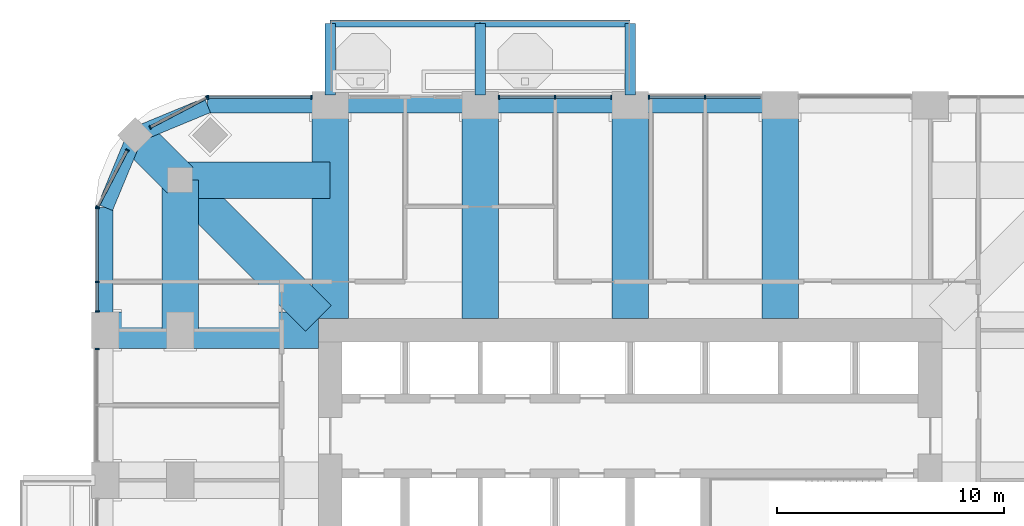
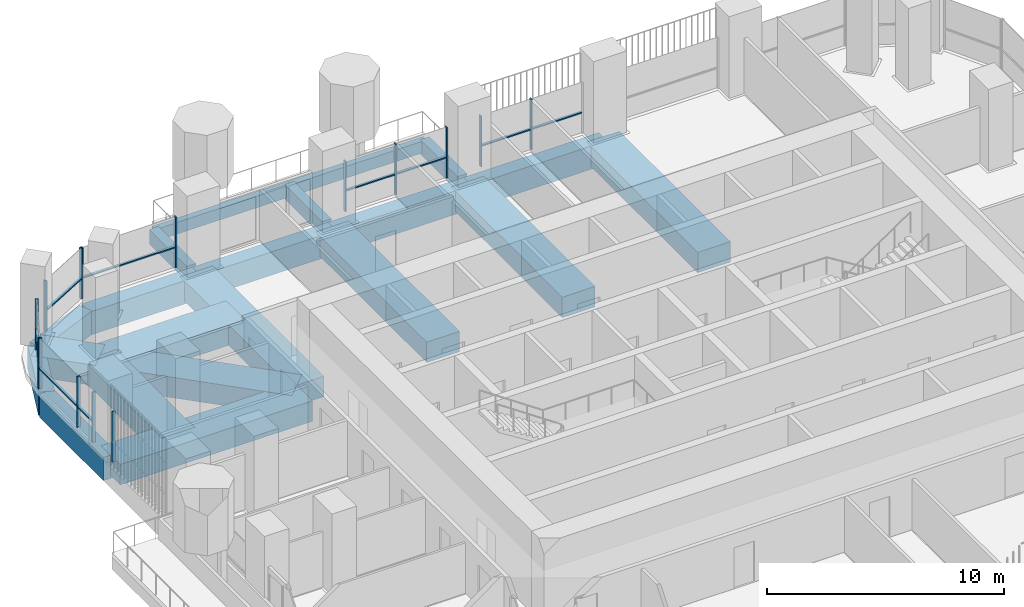
# One storey, part 6 of 20: 24 members, 21 beams, 7 elements without a shape of their own.
"""IFC4 building model written with IfcOpenShell, lengths in metres."""

import ifcopenshell
import ifcopenshell.guid

model = None  # the IFC model being written
_history = None  # IfcOwnerHistory: only IFC2X3 demands one
_inside = {}  # id of a spatial element -> (the spatial element, [elements in it])
_under = {}  # id of a project, library or spatial element -> (it, [spatial elements below it])
_declared = {}  # id of a project -> (the project, [libraries it declares])
_typed = {}  # id of a type object -> (the type object, [elements of that type])
_made_of = {}  # id of a material, layer set ... -> (it, [elements and type objects made of it])


def new_model(schema):
    """Start an empty IFC model of exactly this schema.

    Asked for "IFC4X3", IfcOpenShell would pick the latest addendum, in which some entities
    have other attributes; the version numbers below select the first issue.
    IFC2X3 requires an IfcOwnerHistory on every rooted entity: one is made here for all.
    """
    global model, _history
    if schema == "IFC4X3":
        model = ifcopenshell.file(schema_version=(4, 3, 0, 0))
    else:
        model = ifcopenshell.file(schema=schema)
    _inside.clear()
    _under.clear()
    _declared.clear()
    _typed.clear()
    _made_of.clear()
    _history = None
    if model.schema == "IFC2X3":
        org = make("IfcOrganization", Name="unknown")
        user = make(
            "IfcPersonAndOrganization",
            ThePerson=make("IfcPerson", FamilyName="unknown"),
            TheOrganization=org,
        )
        app = make(
            "IfcApplication",
            ApplicationDeveloper=org,
            Version="unknown",
            ApplicationFullName="unknown",
            ApplicationIdentifier="unknown",
        )
        _history = make(
            "IfcOwnerHistory",
            OwningUser=user,
            OwningApplication=app,
            ChangeAction="ADDED",
            CreationDate=0,
        )
    return model


def make(cls, **values):
    """One entity of the class cls with the attributes given. An attribute that is None is left unset."""
    return model.create_entity(
        cls, **{name: value for name, value in values.items() if value is not None}
    )


def rooted(cls, **values):
    """An entity with a GlobalId (a new one), such as an element, a storey or a relation."""
    return make(cls, GlobalId=ifcopenshell.guid.new(), OwnerHistory=_history, **values)


def si_unit(unit_type, name, prefix=None):
    """IfcSIUnit, for example si_unit("LENGTHUNIT", "METRE", prefix="MILLI")."""
    return make("IfcSIUnit", UnitType=unit_type, Prefix=prefix, Name=name)


def assignment(units):
    """IfcUnitAssignment: the units of a project."""
    return None if units is None else make("IfcUnitAssignment", Units=units)


def point(xyz):
    """IfcCartesianPoint."""
    return None if xyz is None else make("IfcCartesianPoint", Coordinates=xyz)


def direction(xyz):
    """IfcDirection."""
    return None if xyz is None else make("IfcDirection", DirectionRatios=xyz)


def frame(location, z_axis=None, x_axis=None):
    """IfcAxis2Placement3D, a coordinate frame: its origin and axes. An axis left out is left unset."""
    return make(
        "IfcAxis2Placement3D",
        Location=point(location),
        Axis=direction(z_axis),
        RefDirection=direction(x_axis),
    )


def frame_2d(location, x_axis=None):
    """IfcAxis2Placement2D, a coordinate frame in the plane: its origin and x axis."""
    return make(
        "IfcAxis2Placement2D", Location=point(location), RefDirection=direction(x_axis)
    )


def origin():
    """The frame at (0, 0, 0) with its axes left unset."""
    return frame((0.0, 0.0, 0.0))


def origin_2d():
    """The frame at (0, 0) in the plane with its x axis left unset."""
    return frame_2d((0.0, 0.0))


def place(relative_to, where):
    """IfcLocalPlacement: puts the frame where relative to a parent placement (None: the world)."""
    return make(
        "IfcLocalPlacement", PlacementRelTo=relative_to, RelativePlacement=where
    )


def context(
    kind, dimensions, precision=None, world=None, true_north=None, identifier=None
):
    """IfcGeometricRepresentationContext, for example the 3D "Model" context."""
    return make(
        "IfcGeometricRepresentationContext",
        ContextIdentifier=identifier,
        ContextType=kind,
        CoordinateSpaceDimension=dimensions,
        Precision=precision,
        WorldCoordinateSystem=world,
        TrueNorth=true_north,
    )


def subcontext(parent, identifier, kind, view, scale=None):
    """IfcGeometricRepresentationSubContext, for example "Body" below "Model"."""
    return make(
        "IfcGeometricRepresentationSubContext",
        ContextIdentifier=identifier,
        ContextType=kind,
        ParentContext=parent,
        TargetScale=scale,
        TargetView=view,
    )


def project(units=None, contexts=None):
    """IfcProject with its units and contexts."""
    return rooted(
        "IfcProject",
        Name="project",
        RepresentationContexts=contexts,
        UnitsInContext=assignment(units),
    )


def spatial(cls, under=None, at=None, **own):
    """A site, building, storey or space (cls), placed at a placement, below another one or the project."""
    s = rooted(cls, ObjectPlacement=at, **own)
    if under is not None:
        _under.setdefault(under.id(), (under, []))[1].append(s)
    return s


def profile(cls, at=None, kind="AREA", **sizes):
    """A parametric profile (cls). Its sizes go by their IFC names, for example OverallWidth=200.0."""
    return make(cls, ProfileType=kind, Position=at, **sizes)


def rectangle(**sizes):
    """IfcRectangleProfileDef."""
    return profile("IfcRectangleProfileDef", **sizes)


def extrude(swept, where, along, depth):
    """IfcExtrudedAreaSolid: the profile swept, set in the frame where, extruded along a direction by depth."""
    return make(
        "IfcExtrudedAreaSolid",
        SweptArea=swept,
        Position=where,
        ExtrudedDirection=direction(along),
        Depth=depth,
    )


def shape(context_of_items, identifier, shape_type, items):
    """IfcShapeRepresentation: the items that make up one representation, for example the "Body"."""
    return make(
        "IfcShapeRepresentation",
        ContextOfItems=context_of_items,
        RepresentationIdentifier=identifier,
        RepresentationType=shape_type,
        Items=items,
    )


def material(Name=None, Category=None):
    """IfcMaterial."""
    return make("IfcMaterial", Name=Name, Category=Category)


def material_profile(
    of_material, cross_section, Name=None, Category=None, Priority=None
):
    """IfcMaterialProfile: a cross section and its material."""
    return make(
        "IfcMaterialProfile",
        Name=Name,
        Material=of_material,
        Profile=cross_section,
        Priority=Priority,
        Category=Category,
    )


def profile_set(profiles, Name=None, composite=None):
    """IfcMaterialProfileSet."""
    return make(
        "IfcMaterialProfileSet",
        Name=Name,
        MaterialProfiles=profiles,
        CompositeProfile=composite,
    )


def made_of(thing, what):
    """Note that an element or type object is made of a material, layer set ...; save() writes the relation."""
    if what is not None:
        _made_of.setdefault(what.id(), (what, []))[1].append(thing)
    return thing


def type_object(cls, material=None, **own):
    """A type object (cls), such as IfcWallType, which elements share."""
    return made_of(rooted(cls, **own), material)


def element(
    cls,
    number,
    at=None,
    inside=None,
    cuts=None,
    type_object=None,
    material=None,
    context=None,
    identifier="Body",
    shape_type=None,
    held_by="IfcProductDefinitionShape",
    body=None,
    shapes=None,
    **own,
):
    """One element of the class cls, such as IfcWall. Its Tag is "e" and its number.

    at: its placement. inside: the storey or other place that contains it. cuts: it is an
    opening in that element (IfcRelVoidsElement). A single representation is given by context,
    identifier, shape_type and body (its items); several are given by shapes. held_by: the class
    of the entity that holds the representations. save() writes the other relations.
    """
    e = rooted(cls, Tag="e%d" % number, ObjectPlacement=at, **own)
    if body is not None:
        shapes = [shape(context, identifier, shape_type, body)]
    if shapes is not None:
        e.Representation = make(held_by, Representations=shapes)
    if inside is not None:
        _inside.setdefault(inside.id(), (inside, []))[1].append(e)
    if cuts is not None:
        rooted(
            "IfcRelVoidsElement", RelatingBuildingElement=cuts, RelatedOpeningElement=e
        )
    if type_object is not None:
        _typed.setdefault(type_object.id(), (type_object, []))[1].append(e)
    return made_of(e, material)


def aggregate(whole, parts):
    """IfcRelAggregates: a whole, such as a stair, and the parts it consists of."""
    return rooted("IfcRelAggregates", RelatingObject=whole, RelatedObjects=parts)


def save(model, path):
    """Write the relations noted so far, then the file.

    IfcRelAggregates (storeys below a building ...), IfcRelContainedInSpatialStructure (elements
    in a storey), IfcRelDefinesByType, IfcRelAssociatesMaterial and IfcRelDeclares: one each for
    every whole, place, type object, material and project.
    """
    for whole, parts in _under.values():
        aggregate(whole, parts)
    for where, things in _inside.values():
        rooted(
            "IfcRelContainedInSpatialStructure",
            RelatedElements=things,
            RelatingStructure=where,
        )
    for kind, things in _typed.values():
        rooted("IfcRelDefinesByType", RelatedObjects=things, RelatingType=kind)
    for what, things in _made_of.values():
        rooted("IfcRelAssociatesMaterial", RelatedObjects=things, RelatingMaterial=what)
    for by, libraries in _declared.values():
        rooted("IfcRelDeclares", RelatingContext=by, RelatedDefinitions=libraries)
    model.write(path)


model = new_model("IFC4")

# Units and contexts
model_context = context("Model", 3, precision=1e-05, world=origin(), true_north=direction((0.0, 1.0)))
body_context = subcontext(model_context, "Body", "Model", "MODEL_VIEW")
ifc_project = project(units=[si_unit("LENGTHUNIT", "METRE"), si_unit("AREAUNIT", "SQUARE_METRE"), si_unit("VOLUMEUNIT", "CUBIC_METRE"), si_unit("PLANEANGLEUNIT", "RADIAN"), si_unit("MASSUNIT", "GRAM", prefix="KILO")], contexts=[model_context])

# Site, building, storey
site_placement = place(None, origin())
site = spatial("IfcSite", under=ifc_project, at=site_placement, CompositionType="ELEMENT")
building_placement = place(site_placement, origin())
building = spatial("IfcBuilding", under=site, at=building_placement, Name="Cobogo Forest Laboratory Tower", CompositionType="ELEMENT")
storey_placement = place(building_placement, frame((0.0, 0.0, 210.300048828125)))
storey = spatial("IfcBuildingStorey", under=building, at=storey_placement, Name="L48", CompositionType="ELEMENT", Elevation=210.300048828125)

# Beams
ifc_material_1 = material(Name="Concrete HA-40 (C40/50)", Category="concrete")
ifc_material_profile_1 = material_profile(ifc_material_1, rectangle(XDim=0.449951171875, YDim=0.75, at=origin_2d()), Name="RC 450x750")
ifc_profile_set_1 = profile_set([ifc_material_profile_1], Name="Concrete HA-40 (C40/50)")
beam_type_1 = type_object("IfcBeamType", Name="Balcony cantilever beam 450x750", PredefinedType="BEAM", material=ifc_profile_set_1)
for number, where, z_axis, x_axis, name in (
    (1, (13.199951171875, 43.35009765625, -0.625), (0.0, 1.0, 0.0), (-1.0, 0.0, 0.0), "CB1 BAL-N1-C1 L48"),
    (2, (19.800048828125, 43.35009765625, -0.625), (0.0, 1.0, 0.0), (-1.0, 0.0, 0.0), "CB1 BAL-N1-C2 L48"),
    (3, (26.39990234375, 43.35009765625, -0.625), (0.0, 1.0, 0.0), (-1.0, 0.0, 0.0), "CB1 BAL-N1-C3 L48"),
):
    element("IfcBeam", number, at=place(storey_placement, frame(where, z_axis=z_axis, x_axis=x_axis)), inside=storey, type_object=beam_type_1, Name=name, PredefinedType="BEAM", context=body_context, shape_type="SweptSolid", body=[
        extrude(rectangle(XDim=0.449951171875, YDim=0.75, at=origin_2d()), origin(), (0.0, 0.0, 1.0), 3.14990234375),
    ])
ifc_material_profile_2 = material_profile(ifc_material_1, rectangle(XDim=0.300048828125, YDim=0.60009765625, at=origin_2d()), Name="RC 300x600")
ifc_profile_set_2 = profile_set([ifc_material_profile_2], Name="Concrete HA-40 (C40/50)")
beam_type_2 = type_object("IfcBeamType", Name="Balcony edge beam 300x600", PredefinedType="BEAM", material=ifc_profile_set_2)
beam_1_placement = place(storey_placement, frame((13.199951171875, 46.5, -0.550048828125), z_axis=(1.0, 0.0, 0.0), x_axis=(0.0, 1.0, 0.0)))
element("IfcBeam", 4, at=beam_1_placement, inside=storey, type_object=beam_type_2, Name="BB1 BAL-N1-T1 L48", PredefinedType="BEAM", context=body_context, shape_type="SweptSolid", body=[
    extrude(rectangle(XDim=0.300048828125, YDim=0.60009765625, at=origin_2d()), origin(), (0.0, 0.0, 1.0), 6.60009765625),
])
beam_2_placement = place(storey_placement, frame((19.800048828125, 46.5, -0.550048828125), z_axis=(1.0, 0.0, 0.0), x_axis=(0.0, 1.0, 0.0)))
element("IfcBeam", 5, at=beam_2_placement, inside=storey, type_object=beam_type_2, Name="BB1 BAL-N1-T2 L48", PredefinedType="BEAM", context=body_context, shape_type="SweptSolid", body=[
    extrude(rectangle(XDim=0.300048828125, YDim=0.60009765625, at=origin_2d()), origin(), (0.0, 0.0, 1.0), 6.599853515625),
])
ifc_material_2 = material(Name="Concrete HA-50 (C50/60)", Category="concrete")
ifc_material_profile_3 = material_profile(ifc_material_2, rectangle(XDim=1.60009765625, YDim=1.050048828125, at=origin_2d()), Name="RC 1600x1050")
ifc_profile_set_3 = profile_set([ifc_material_profile_3], Name="Concrete HA-50 (C50/60)")
beam_type_3 = type_object("IfcBeamType", Name="Laboratory floor wide beam 1600x1050", PredefinedType="BEAM", material=ifc_profile_set_3)
for number, where, z_axis, x_axis, name in (
    (6, (13.199951171875, 33.52490234375, -0.824951171875), (0.0, 1.0, 0.0), (-1.0, 0.0, 0.0), "RB8 R-3-N L48"),
    (7, (19.800048828125, 33.52490234375, -0.824951171875), (0.0, 1.0, 0.0), (-1.0, 0.0, 0.0), "RB8 R-4-N L48"),
    (8, (26.39990234375, 33.52490234375, -0.824951171875), (0.0, 1.0, 0.0), (-1.0, 0.0, 0.0), "RB8 R-5-N L48"),
    (9, (33.0, 33.52490234375, -0.824951171875), (0.0, 1.0, 0.0), (-1.0, 0.0, 0.0), "RB8 R-6-N L48"),
    (10, (12.675048828125, 33.0, -0.824951171875), (-1.0, 0.0, 0.0), (0.0, -1.0, 0.0), "RB8 R-F-W L48"),
):
    element("IfcBeam", number, at=place(storey_placement, frame(where, z_axis=z_axis, x_axis=x_axis)), inside=storey, type_object=beam_type_3, Name=name, PredefinedType="BEAM", context=body_context, shape_type="SweptSolid", body=[
        extrude(rectangle(XDim=1.60009765625, YDim=1.050048828125, at=origin_2d()), origin(), (0.0, 0.0, 1.0), 9.375),
    ])
beam_3_placement = place(storey_placement, frame((6.60009765625, 39.60009765625, -0.824951171875), z_axis=(0.0, -1.0, 0.0), x_axis=(1.0, 0.0, 0.0)))
element("IfcBeam", 11, at=beam_3_placement, inside=storey, type_object=beam_type_3, Name="RB8 G-NW-XC L48", PredefinedType="BEAM", context=body_context, shape_type="SweptSolid", body=[
    extrude(rectangle(XDim=1.60009765625, YDim=1.050048828125, at=origin_2d()), origin(), (0.0, 0.0, 1.0), 6.60009765625),
])
beam_4_placement = place(storey_placement, frame((6.60009765625, 39.60009765625, -0.824951171875), z_axis=(1.0, 0.0, 0.0), x_axis=(0.0, 1.0, 0.0)))
element("IfcBeam", 12, at=beam_4_placement, inside=storey, type_object=beam_type_3, Name="RB8 G-NW-YC L48", PredefinedType="BEAM", context=body_context, shape_type="SweptSolid", body=[
    extrude(rectangle(XDim=1.60009765625, YDim=1.050048828125, at=origin_2d()), origin(), (0.0, 0.0, 1.0), 6.599853515625),
])
beam_5_placement = place(storey_placement, frame((4.617919921875, 41.58203125, -0.824951171875), z_axis=(0.707150328948, -0.707063230743, 0.0), x_axis=(0.707063230743, 0.707150328948, 0.0)))
element("IfcBeam", 13, at=beam_5_placement, inside=storey, type_object=beam_type_3, Name="RB8 G-NW-D1 L48", PredefinedType="BEAM", context=body_context, shape_type="SweptSolid", body=[
    extrude(rectangle(XDim=1.60009765625, YDim=1.050048828125, at=origin_2d()), origin(), (0.0, 0.0, 1.0), 2.802978515625),
])
beam_6_placement = place(storey_placement, frame((6.60009765625, 39.60009765625, -0.824951171875), z_axis=(0.707092572697, -0.70712098939, 0.0), x_axis=(0.70712098939, 0.707092572697, 0.0)))
element("IfcBeam", 14, at=beam_6_placement, inside=storey, type_object=beam_type_3, Name="RB8 G-NW-D2 L48", PredefinedType="BEAM", context=body_context, shape_type="SweptSolid", body=[
    extrude(rectangle(XDim=1.60009765625, YDim=1.050048828125, at=origin_2d()), origin(), (0.0, 0.0, 1.0), 8.591552734375),
])

# Curtain wall, members
ifc_material_3 = material(Name="Aluminium curtain wall", Category="aluminium")
curtain_wall_type = type_object("IfcCurtainWallType", Name="CW-2 unitised curtain wall, solar control glazing, laboratory floors zones C and D", PredefinedType="USERDEFINED", material=ifc_material_3)
curtain_wall_1_placement = place(storey_placement, origin())
curtain_wall_1 = element("IfcCurtainWall", 15, at=curtain_wall_1_placement, inside=storey, type_object=curtain_wall_type, Name="Curtain wall 18 L48", ObjectType="UNITISED CURTAIN WALL", PredefinedType="USERDEFINED")
ifc_material_4 = material(Name="Aluminium mullion", Category="aluminium")
ifc_material_profile_4 = material_profile(ifc_material_4, rectangle(XDim=0.06005859375, YDim=0.159912109375, at=origin_2d()), Name="AL 60x160")
ifc_profile_set_4 = profile_set([ifc_material_profile_4], Name="Aluminium mullion")
member_type_1 = type_object("IfcMemberType", Name="MU-1 aluminium mullion 60x160", PredefinedType="MULLION", material=ifc_profile_set_4)
member_1_placement = place(storey_placement, frame((29.699951171875, 43.25, 0.0), z_axis=(0.0, 0.0, 1.0), x_axis=(-1.0, 0.0, 0.0)))
member_1 = element("IfcMember", 16, at=member_1_placement, type_object=member_type_1, Name="CW-2 mullion 2", PredefinedType="MULLION", context=body_context, shape_type="SweptSolid", body=[
    extrude(rectangle(XDim=0.06005859375, YDim=0.159912109375, at=origin_2d()), origin(), (0.0, 0.0, 1.0), 2.599853515625),
])
member_2_placement = place(storey_placement, frame((27.22998046875, 43.25, 0.0), z_axis=(0.0, 0.0, 1.0), x_axis=(-1.0, 0.0, 0.0)))
member_2 = element("IfcMember", 17, at=member_2_placement, type_object=member_type_1, Name="CW-2 mullion 3", PredefinedType="MULLION", context=body_context, shape_type="SweptSolid", body=[
    extrude(rectangle(XDim=0.06005859375, YDim=0.159912109375, at=origin_2d()), origin(), (0.0, 0.0, 1.0), 2.599853515625),
])

curtain_wall_2_placement = place(storey_placement, origin())
curtain_wall_2 = element("IfcCurtainWall", 18, at=curtain_wall_2_placement, inside=storey, type_object=curtain_wall_type, Name="Curtain wall 19 L48", ObjectType="UNITISED CURTAIN WALL", PredefinedType="USERDEFINED")
member_3_placement = place(storey_placement, frame((25.570068359375, 43.25, 0.0), z_axis=(0.0, 0.0, 1.0), x_axis=(-1.0, 0.0, 0.0)))
member_3 = element("IfcMember", 19, at=member_3_placement, type_object=member_type_1, Name="CW-2 mullion 1", PredefinedType="MULLION", context=body_context, shape_type="SweptSolid", body=[
    extrude(rectangle(XDim=0.06005859375, YDim=0.159912109375, at=origin_2d()), origin(), (0.0, 0.0, 1.0), 2.599853515625),
])
member_4_placement = place(storey_placement, frame((23.10009765625, 43.25, 0.0), z_axis=(0.0, 0.0, 1.0), x_axis=(-1.0, 0.0, 0.0)))
member_4 = element("IfcMember", 20, at=member_4_placement, type_object=member_type_1, Name="CW-2 mullion 2", PredefinedType="MULLION", context=body_context, shape_type="SweptSolid", body=[
    extrude(rectangle(XDim=0.06005859375, YDim=0.159912109375, at=origin_2d()), origin(), (0.0, 0.0, 1.0), 2.599853515625),
])
member_5_placement = place(storey_placement, frame((20.6298828125, 43.25, 0.0), z_axis=(0.0, 0.0, 1.0), x_axis=(-1.0, 0.0, 0.0)))
member_5 = element("IfcMember", 21, at=member_5_placement, type_object=member_type_1, Name="CW-2 mullion 3", PredefinedType="MULLION", context=body_context, shape_type="SweptSolid", body=[
    extrude(rectangle(XDim=0.06005859375, YDim=0.159912109375, at=origin_2d()), origin(), (0.0, 0.0, 1.0), 2.599853515625),
])

curtain_wall_3_placement = place(storey_placement, origin())
curtain_wall_3 = element("IfcCurtainWall", 22, at=curtain_wall_3_placement, inside=storey, type_object=curtain_wall_type, Name="Curtain wall 21 L48", ObjectType="UNITISED CURTAIN WALL", PredefinedType="USERDEFINED")
member_6_placement = place(storey_placement, frame((12.3701171875, 43.25, 0.0), z_axis=(0.0, 0.0, 1.0), x_axis=(-1.0, 0.0, 0.0)))
member_6 = element("IfcMember", 23, at=member_6_placement, type_object=member_type_1, Name="CW-2 mullion 1", PredefinedType="MULLION", context=body_context, shape_type="SweptSolid", body=[
    extrude(rectangle(XDim=0.06005859375, YDim=0.159912109375, at=origin_2d()), origin(), (0.0, 0.0, 1.0), 2.599853515625),
])
member_7_placement = place(storey_placement, frame((7.830078125, 43.25, 0.0), z_axis=(0.0, 0.0, 1.0), x_axis=(-1.0, 0.0, 0.0)))
member_7 = element("IfcMember", 24, at=member_7_placement, type_object=member_type_1, Name="CW-2 mullion 2", PredefinedType="MULLION", context=body_context, shape_type="SweptSolid", body=[
    extrude(rectangle(XDim=0.06005859375, YDim=0.159912109375, at=origin_2d()), origin(), (0.0, 0.0, 1.0), 2.599853515625),
])

curtain_wall_4_placement = place(storey_placement, origin())
curtain_wall_4 = element("IfcCurtainWall", 25, at=curtain_wall_4_placement, inside=storey, type_object=curtain_wall_type, Name="Curtain wall 22 L48", ObjectType="UNITISED CURTAIN WALL", PredefinedType="USERDEFINED")
member_8_placement = place(storey_placement, frame((7.7734375, 43.236083984375, 0.0), z_axis=(0.0, 0.0, 1.0), x_axis=(-0.885686484356, -0.464283804832, 0.0)))
member_8 = element("IfcMember", 26, at=member_8_placement, type_object=member_type_1, Name="CW-2 mullion 1", PredefinedType="MULLION", context=body_context, shape_type="SweptSolid", body=[
    extrude(rectangle(XDim=0.06005859375, YDim=0.159912109375, at=origin_2d()), origin(), (0.0, 0.0, 1.0), 2.599853515625),
])
member_9_placement = place(storey_placement, frame((5.275634765625, 41.9267578125, 0.0), z_axis=(0.0, 0.0, 1.0), x_axis=(-0.885686484356, -0.464283804832, 0.0)))
member_9 = element("IfcMember", 27, at=member_9_placement, type_object=member_type_1, Name="CW-2 mullion 2", PredefinedType="MULLION", context=body_context, shape_type="SweptSolid", body=[
    extrude(rectangle(XDim=0.06005859375, YDim=0.159912109375, at=origin_2d()), origin(), (0.0, 0.0, 1.0), 2.599853515625),
])

curtain_wall_5_placement = place(storey_placement, origin())
curtain_wall_5 = element("IfcCurtainWall", 28, at=curtain_wall_5_placement, inside=storey, type_object=curtain_wall_type, Name="Curtain wall 23 L48", ObjectType="UNITISED CURTAIN WALL", PredefinedType="USERDEFINED")
member_10_placement = place(storey_placement, frame((4.2734375, 40.924560546875, 0.0), z_axis=(0.0, 0.0, 1.0), x_axis=(-0.464283804832, -0.885686484356, 0.0)))
member_10 = element("IfcMember", 29, at=member_10_placement, type_object=member_type_1, Name="CW-2 mullion 1", PredefinedType="MULLION", context=body_context, shape_type="SweptSolid", body=[
    extrude(rectangle(XDim=0.06005859375, YDim=0.159912109375, at=origin_2d()), origin(), (0.0, 0.0, 1.0), 2.599853515625),
])
member_11_placement = place(storey_placement, frame((2.9638671875, 38.426513671875, 0.0), z_axis=(0.0, 0.0, 1.0), x_axis=(-0.464283804832, -0.885686484356, 0.0)))
member_11 = element("IfcMember", 30, at=member_11_placement, type_object=member_type_1, Name="CW-2 mullion 2", PredefinedType="MULLION", context=body_context, shape_type="SweptSolid", body=[
    extrude(rectangle(XDim=0.06005859375, YDim=0.159912109375, at=origin_2d()), origin(), (0.0, 0.0, 1.0), 2.599853515625),
])

curtain_wall_6_placement = place(storey_placement, origin())
curtain_wall_6 = element("IfcCurtainWall", 31, at=curtain_wall_6_placement, inside=storey, type_object=curtain_wall_type, Name="Curtain wall 24 L48", ObjectType="UNITISED CURTAIN WALL", PredefinedType="USERDEFINED")
member_12_placement = place(storey_placement, frame((2.949951171875, 38.3701171875, 0.0), z_axis=(0.0, 0.0, 1.0), x_axis=(0.0, -1.0, 0.0)))
member_12 = element("IfcMember", 32, at=member_12_placement, type_object=member_type_1, Name="CW-2 mullion 1", PredefinedType="MULLION", context=body_context, shape_type="SweptSolid", body=[
    extrude(rectangle(XDim=0.06005859375, YDim=0.159912109375, at=origin_2d()), origin(), (0.0, 0.0, 1.0), 2.599853515625),
])
member_13_placement = place(storey_placement, frame((2.949951171875, 35.125, 0.0), z_axis=(0.0, 0.0, 1.0), x_axis=(0.0, -1.0, 0.0)))
member_13 = element("IfcMember", 33, at=member_13_placement, type_object=member_type_1, Name="CW-2 mullion 2", PredefinedType="MULLION", context=body_context, shape_type="SweptSolid", body=[
    extrude(rectangle(XDim=0.06005859375, YDim=0.159912109375, at=origin_2d()), origin(), (0.0, 0.0, 1.0), 2.599853515625),
])
member_14_placement = place(storey_placement, frame((2.949951171875, 33.830078125, 0.0), z_axis=(0.0, 0.0, 1.0), x_axis=(0.0, -1.0, 0.0)))
member_14 = element("IfcMember", 34, at=member_14_placement, type_object=member_type_1, Name="CW-2 mullion 3", PredefinedType="MULLION", context=body_context, shape_type="SweptSolid", body=[
    extrude(rectangle(XDim=0.06005859375, YDim=0.159912109375, at=origin_2d()), origin(), (0.0, 0.0, 1.0), 2.599853515625),
])

# Curtain wall, member
curtain_wall_7_placement = place(storey_placement, origin())
curtain_wall_7 = element("IfcCurtainWall", 35, at=curtain_wall_7_placement, inside=storey, type_object=curtain_wall_type, Name="Curtain wall 25 L48", ObjectType="UNITISED CURTAIN WALL", PredefinedType="USERDEFINED")
member_15_placement = place(storey_placement, frame((2.949951171875, 32.169921875, 0.0), z_axis=(0.0, 0.0, 1.0), x_axis=(0.0, -1.0, 0.0)))
member_15 = element("IfcMember", 36, at=member_15_placement, type_object=member_type_1, Name="CW-2 mullion 1", PredefinedType="MULLION", context=body_context, shape_type="SweptSolid", body=[
    extrude(rectangle(XDim=0.06005859375, YDim=0.159912109375, at=origin_2d()), origin(), (0.0, 0.0, 1.0), 2.599853515625),
])
aggregate(curtain_wall_7, [member_15])

# Beams
ifc_material_profile_5 = material_profile(ifc_material_1, rectangle(XDim=0.699951171875, YDim=1.199951171875, at=origin_2d()), Name="RC 700x1200")
ifc_profile_set_5 = profile_set([ifc_material_profile_5], Name="Concrete HA-40 (C40/50)")
beam_type_4 = type_object("IfcBeamType", Name="Perimeter edge beam 700x1200", PredefinedType="BEAM", material=ifc_profile_set_5)
beam_7_placement = place(storey_placement, frame((13.199951171875, 42.89990234375, -0.900146484375), z_axis=(1.0, 0.0, 0.0), x_axis=(0.0, 1.0, 0.0)))
element("IfcBeam", 37, at=beam_7_placement, inside=storey, type_object=beam_type_4, Name="EB1 E-N1 L48", PredefinedType="BEAM", context=body_context, shape_type="SweptSolid", body=[
    extrude(rectangle(XDim=0.699951171875, YDim=1.199951171875, at=origin_2d()), origin(), (0.0, 0.0, 1.0), 6.60009765625),
])
beam_8_placement = place(storey_placement, frame((19.800048828125, 42.89990234375, -0.900146484375), z_axis=(1.0, 0.0, 0.0), x_axis=(0.0, 1.0, 0.0)))
element("IfcBeam", 38, at=beam_8_placement, inside=storey, type_object=beam_type_4, Name="EB1 E-N2 L48", PredefinedType="BEAM", context=body_context, shape_type="SweptSolid", body=[
    extrude(rectangle(XDim=0.699951171875, YDim=1.199951171875, at=origin_2d()), origin(), (0.0, 0.0, 1.0), 6.599853515625),
])
beam_9_placement = place(storey_placement, frame((26.39990234375, 42.89990234375, -0.900146484375), z_axis=(1.0, 0.0, 0.0), x_axis=(0.0, 1.0, 0.0)))
element("IfcBeam", 39, at=beam_9_placement, inside=storey, type_object=beam_type_4, Name="EB1 E-N3 L48", PredefinedType="BEAM", context=body_context, shape_type="SweptSolid", body=[
    extrude(rectangle(XDim=0.699951171875, YDim=1.199951171875, at=origin_2d()), origin(), (0.0, 0.0, 1.0), 6.60009765625),
])
beam_10_placement = place(storey_placement, frame((13.199951171875, 42.89990234375, -0.900146484375), z_axis=(-1.0, 0.0, 0.0), x_axis=(0.0, -1.0, 0.0)))
element("IfcBeam", 40, at=beam_10_placement, inside=storey, type_object=beam_type_4, Name="EB1 E-NWN1 L48", PredefinedType="BEAM", context=body_context, shape_type="SweptSolid", body=[
    extrude(rectangle(XDim=0.699951171875, YDim=1.199951171875, at=origin_2d()), origin(), (0.0, 0.0, 1.0), 5.39990234375),
])
beam_11_placement = place(storey_placement, frame((7.800048828125, 42.89990234375, -0.900146484375), z_axis=(-0.923901072997, -0.382631424892, 0.0), x_axis=(0.382631424892, -0.923901072997, 0.0)))
element("IfcBeam", 41, at=beam_11_placement, inside=storey, type_object=beam_type_4, Name="EB1 E-NWN2 L48", PredefinedType="BEAM", context=body_context, shape_type="SweptSolid", body=[
    extrude(rectangle(XDim=0.699951171875, YDim=1.199951171875, at=origin_2d()), origin(), (0.0, 0.0, 1.0), 3.4443359375),
])
beam_12_placement = place(storey_placement, frame((3.300048828125, 33.0, -0.900146484375), z_axis=(0.0, 1.0, 0.0), x_axis=(-1.0, 0.0, 0.0)))
element("IfcBeam", 42, at=beam_12_placement, inside=storey, type_object=beam_type_4, Name="EB1 E-NWW1 L48", PredefinedType="BEAM", context=body_context, shape_type="SweptSolid", body=[
    extrude(rectangle(XDim=0.699951171875, YDim=1.199951171875, at=origin_2d()), origin(), (0.0, 0.0, 1.0), 5.39990234375),
])
beam_13_placement = place(storey_placement, frame((3.300048828125, 38.39990234375, -0.900146484375), z_axis=(0.382631424892, 0.923901072997, 0.0), x_axis=(-0.923901072997, 0.382631424892, 0.0)))
element("IfcBeam", 43, at=beam_13_placement, inside=storey, type_object=beam_type_4, Name="EB1 E-NWW2 L48", PredefinedType="BEAM", context=body_context, shape_type="SweptSolid", body=[
    extrude(rectangle(XDim=0.699951171875, YDim=1.199951171875, at=origin_2d()), origin(), (0.0, 0.0, 1.0), 3.4443359375),
])

# Member
ifc_material_5 = material(Name="Aluminium transom", Category="aluminium")
ifc_material_profile_6 = material_profile(ifc_material_5, rectangle(XDim=0.1201171875, YDim=0.06005859375, at=origin_2d()), Name="AL 60x120")
ifc_profile_set_6 = profile_set([ifc_material_profile_6], Name="Aluminium transom")
member_type_2 = type_object("IfcMemberType", Name="TR-1 aluminium transom 60x120", PredefinedType="USERDEFINED", material=ifc_profile_set_6)
member_16_placement = place(storey_placement, frame((32.139892578125, 43.25, 1.050048828125), z_axis=(-1.0, 0.0, 0.0), x_axis=(0.0, -1.0, 0.0)))
member_16 = element("IfcMember", 44, at=member_16_placement, type_object=member_type_2, Name="CW-2 transom 1.1", ObjectType="TRANSOM", PredefinedType="USERDEFINED", context=body_context, shape_type="SweptSolid", body=[
    extrude(rectangle(XDim=0.1201171875, YDim=0.06005859375, at=origin_2d()), origin(), (0.0, 0.0, 1.0), 2.409912109375),
])

member_17_placement = place(storey_placement, frame((29.669921875, 43.25, 1.050048828125), z_axis=(-1.0, 0.0, 0.0), x_axis=(0.0, -1.0, 0.0)))
member_17 = element("IfcMember", 45, at=member_17_placement, type_object=member_type_2, Name="CW-2 transom 2.1", ObjectType="TRANSOM", PredefinedType="USERDEFINED", context=body_context, shape_type="SweptSolid", body=[
    extrude(rectangle(XDim=0.1201171875, YDim=0.06005859375, at=origin_2d()), origin(), (0.0, 0.0, 1.0), 2.409912109375),
])

aggregate(curtain_wall_1, [member_1, member_2, member_16, member_17])

member_18_placement = place(storey_placement, frame((25.5400390625, 43.25, 1.050048828125), z_axis=(-1.0, 0.0, 0.0), x_axis=(0.0, -1.0, 0.0)))
member_18 = element("IfcMember", 46, at=member_18_placement, type_object=member_type_2, Name="CW-2 transom 1.1", ObjectType="TRANSOM", PredefinedType="USERDEFINED", context=body_context, shape_type="SweptSolid", body=[
    extrude(rectangle(XDim=0.1201171875, YDim=0.06005859375, at=origin_2d()), origin(), (0.0, 0.0, 1.0), 2.41015625),
])

member_19_placement = place(storey_placement, frame((23.070068359375, 43.25, 1.050048828125), z_axis=(-1.0, 0.0, 0.0), x_axis=(0.0, -1.0, 0.0)))
member_19 = element("IfcMember", 47, at=member_19_placement, type_object=member_type_2, Name="CW-2 transom 2.1", ObjectType="TRANSOM", PredefinedType="USERDEFINED", context=body_context, shape_type="SweptSolid", body=[
    extrude(rectangle(XDim=0.1201171875, YDim=0.06005859375, at=origin_2d()), origin(), (0.0, 0.0, 1.0), 2.41015625),
])

aggregate(curtain_wall_2, [member_3, member_4, member_5, member_18, member_19])

member_20_placement = place(storey_placement, frame((12.340087890625, 43.25, 1.050048828125), z_axis=(-1.0, 0.0, 0.0), x_axis=(0.0, -1.0, 0.0)))
member_20 = element("IfcMember", 48, at=member_20_placement, type_object=member_type_2, Name="CW-2 transom 1.1", ObjectType="TRANSOM", PredefinedType="USERDEFINED", context=body_context, shape_type="SweptSolid", body=[
    extrude(rectangle(XDim=0.1201171875, YDim=0.06005859375, at=origin_2d()), origin(), (0.0, 0.0, 1.0), 4.47998046875),
])

aggregate(curtain_wall_3, [member_6, member_7, member_20])

member_21_placement = place(storey_placement, frame((7.746826171875, 43.22216796875, 1.050048828125), z_axis=(-0.88570166389, -0.464254846591, 0.0), x_axis=(0.464254846591, -0.88570166389, 0.0)))
member_21 = element("IfcMember", 49, at=member_21_placement, type_object=member_type_2, Name="CW-2 transom 1.1", ObjectType="TRANSOM", PredefinedType="USERDEFINED", context=body_context, shape_type="SweptSolid", body=[
    extrude(rectangle(XDim=0.1201171875, YDim=0.06005859375, at=origin_2d()), origin(), (0.0, 0.0, 1.0), 2.76025390625),
])

aggregate(curtain_wall_4, [member_8, member_9, member_21])

member_22_placement = place(storey_placement, frame((4.259521484375, 40.89794921875, 1.050048828125), z_axis=(-0.464324225592, -0.885665294301, 0.0), x_axis=(0.885665294301, -0.464324225592, 0.0)))
member_22 = element("IfcMember", 50, at=member_22_placement, type_object=member_type_2, Name="CW-2 transom 1.1", ObjectType="TRANSOM", PredefinedType="USERDEFINED", context=body_context, shape_type="SweptSolid", body=[
    extrude(rectangle(XDim=0.1201171875, YDim=0.06005859375, at=origin_2d()), origin(), (0.0, 0.0, 1.0), 2.760498046875),
])

aggregate(curtain_wall_5, [member_10, member_11, member_22])

member_23_placement = place(storey_placement, frame((2.949951171875, 38.340087890625, 1.050048828125), z_axis=(0.0, -1.0, 0.0), x_axis=(1.0, 0.0, 0.0)))
member_23 = element("IfcMember", 51, at=member_23_placement, type_object=member_type_2, Name="CW-2 transom 1.1", ObjectType="TRANSOM", PredefinedType="USERDEFINED", context=body_context, shape_type="SweptSolid", body=[
    extrude(rectangle(XDim=0.1201171875, YDim=0.06005859375, at=origin_2d()), origin(), (0.0, 0.0, 1.0), 3.18505859375),
])

member_24_placement = place(storey_placement, frame((2.949951171875, 35.094970703125, 1.050048828125), z_axis=(0.0, -1.0, 0.0), x_axis=(1.0, 0.0, 0.0)))
member_24 = element("IfcMember", 52, at=member_24_placement, type_object=member_type_2, Name="CW-2 transom 2.1", ObjectType="TRANSOM", PredefinedType="USERDEFINED", context=body_context, shape_type="SweptSolid", body=[
    extrude(rectangle(XDim=0.1201171875, YDim=0.06005859375, at=origin_2d()), origin(), (0.0, 0.0, 1.0), 1.23486328125),
])

aggregate(curtain_wall_6, [member_12, member_13, member_14, member_23, member_24])

save(model, "model.ifc")
